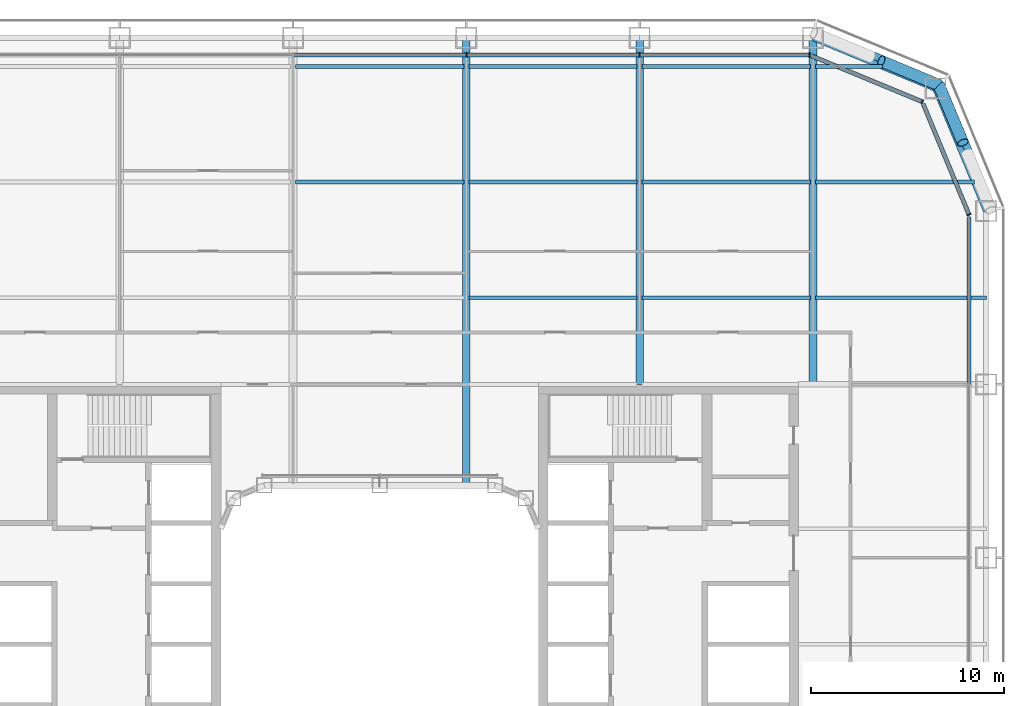
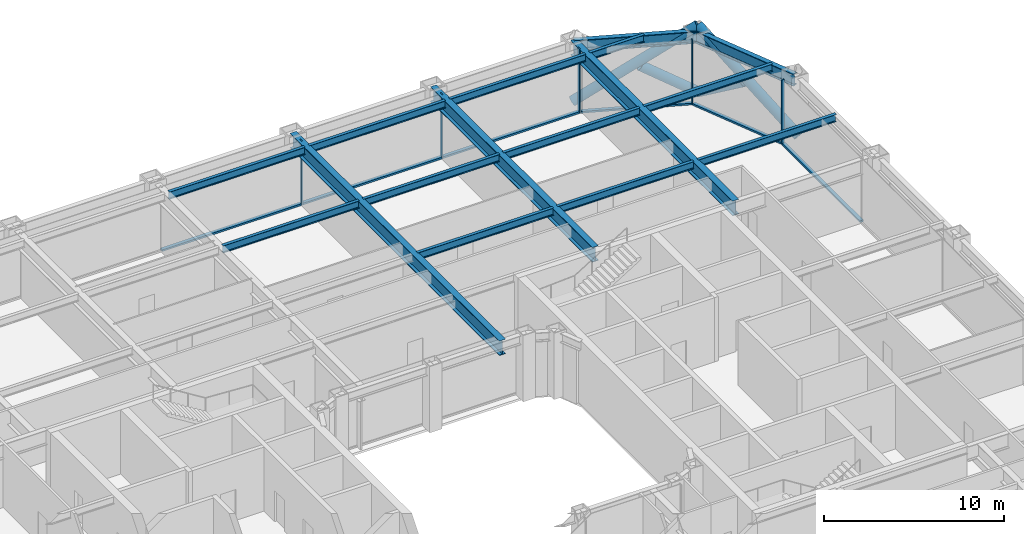
# One storey, part 10 of 27: 16 beams, 15 members, 4 elements without a shape of their own.
"""IFC4 building model written with IfcOpenShell, lengths in metres."""

from ifc_helpers import new_model, si_unit, direction, frame, origin, origin_2d, place, context, subcontext, project, spatial, rectangle, hollow_circle, i_section, extrude, material, layer, layer_set, material_profile, profile_set, type_object, element, aggregate, save


model = new_model("IFC4")

# Units and contexts
model_context = context("Model", 3, precision=1e-05, world=origin(), true_north=direction((0.0, 1.0)))
body_context = subcontext(model_context, "Body", "Model", "MODEL_VIEW")
ifc_project = project(units=[si_unit("LENGTHUNIT", "METRE"), si_unit("AREAUNIT", "SQUARE_METRE"), si_unit("VOLUMEUNIT", "CUBIC_METRE"), si_unit("PLANEANGLEUNIT", "RADIAN"), si_unit("MASSUNIT", "GRAM", prefix="KILO")], contexts=[model_context])

# Site, building, storey
site_placement = place(None, origin())
site = spatial("IfcSite", under=ifc_project, at=site_placement, CompositionType="ELEMENT")
building_placement = place(site_placement, origin())
building = spatial("IfcBuilding", under=site, at=building_placement, Name="Siwar Civic Tower", CompositionType="ELEMENT")
storey_placement = place(building_placement, frame((0.0, 0.0, 35.699951171875)))
storey = spatial("IfcBuildingStorey", under=building, at=storey_placement, Name="L07", CompositionType="ELEMENT", Elevation=35.699951171875)

# Curtain wall, member
ifc_material_1 = material(Name="Aluminium clad insulated panel", Category="aluminium")
ifc_layer_1 = layer(ifc_material_1, 0.219970703125)
ifc_layer_set_1 = layer_set([ifc_layer_1], Name="Aluminium clad insulated panel")
curtain_wall_type_1 = type_object("IfcCurtainWallType", Name="ENV-CW-AX", PredefinedType="NOTDEFINED", material=ifc_layer_set_1)
curtain_wall_1_placement = place(storey_placement, origin())
curtain_wall_1 = element("IfcCurtainWall", 1, at=curtain_wall_1_placement, inside=storey, type_object=curtain_wall_type_1, Name="Curtain wall A NE1", PredefinedType="NOTDEFINED")
ifc_material_2 = material(Name="Aluminium 6063-T6", Category="aluminium")
ifc_material_profile_1 = material_profile(ifc_material_2, rectangle(XDim=0.219970703125, YDim=0.070068359375, at=origin_2d()), Name="AL 220x70")
ifc_profile_set_1 = profile_set([ifc_material_profile_1], Name="Aluminium 6063-T6")
member_type_1 = type_object("IfcMemberType", Name="ENV-MULLION-A", PredefinedType="MULLION", material=ifc_profile_set_1)
member_1_placement = place(storey_placement, frame((30.60009765625, 22.321044921875, 0.0), z_axis=(0.0, 0.0, 1.0), x_axis=(-0.923879532511, -0.382683432365, 0.0)))
member_1 = element("IfcMember", 2, at=member_1_placement, type_object=member_type_1, Name="Mullion A NE1 1", PredefinedType="MULLION", context=body_context, shape_type="SweptSolid", body=[
    extrude(rectangle(XDim=0.219970703125, YDim=0.070068359375, at=origin_2d()), origin(), (0.0, 0.0, 1.0), 4.35009765625),
])

curtain_wall_2_placement = place(storey_placement, origin())
curtain_wall_2 = element("IfcCurtainWall", 3, at=curtain_wall_2_placement, inside=storey, type_object=curtain_wall_type_1, Name="Curtain wall A NE2", PredefinedType="NOTDEFINED")
member_2_placement = place(storey_placement, frame((28.175048828125, 28.175048828125, 0.0), z_axis=(0.0, 0.0, 1.0), x_axis=(-0.382683432365, -0.923879532511, 0.0)))
member_2 = element("IfcMember", 4, at=member_2_placement, type_object=member_type_1, Name="Mullion A NE2 1", PredefinedType="MULLION", context=body_context, shape_type="SweptSolid", body=[
    extrude(rectangle(XDim=0.219970703125, YDim=0.070068359375, at=origin_2d()), origin(), (0.0, 0.0, 1.0), 4.35009765625),
])

# Curtain wall, members
ifc_material_3 = material(Name="Aluminium and glass", Category="aluminium")
ifc_layer_2 = layer(ifc_material_3, 0.219970703125)
ifc_layer_set_2 = layer_set([ifc_layer_2], Name="Aluminium and glass")
curtain_wall_type_2 = type_object("IfcCurtainWallType", Name="ENV-CW-A", PredefinedType="NOTDEFINED", material=ifc_layer_set_2)
curtain_wall_3_placement = place(storey_placement, origin())
curtain_wall_3 = element("IfcCurtainWall", 5, at=curtain_wall_3_placement, inside=storey, type_object=curtain_wall_type_2, Name="Curtain wall A N", PredefinedType="NOTDEFINED")
member_3_placement = place(storey_placement, frame((22.321044921875, 30.60009765625, 0.0), z_axis=(0.0, 0.0, 1.0), x_axis=(0.0, -1.0, 0.0)))
member_3 = element("IfcMember", 6, at=member_3_placement, type_object=member_type_1, Name="Mullion A N 1", PredefinedType="MULLION", context=body_context, shape_type="SweptSolid", body=[
    extrude(rectangle(XDim=0.219970703125, YDim=0.070068359375, at=origin_2d()), origin(), (0.0, 0.0, 1.0), 4.35009765625),
])
member_4_placement = place(storey_placement, frame((13.5, 30.60009765625, 0.0), z_axis=(0.0, 0.0, 1.0), x_axis=(0.0, -1.0, 0.0)))
member_4 = element("IfcMember", 7, at=member_4_placement, type_object=member_type_1, Name="Mullion A N 2", PredefinedType="MULLION", context=body_context, shape_type="SweptSolid", body=[
    extrude(rectangle(XDim=0.219970703125, YDim=0.070068359375, at=origin_2d()), origin(), (0.0, 0.0, 1.0), 4.35009765625),
])
member_5_placement = place(storey_placement, frame((4.5, 30.60009765625, 0.0), z_axis=(0.0, 0.0, 1.0), x_axis=(0.0, -1.0, 0.0)))
member_5 = element("IfcMember", 8, at=member_5_placement, type_object=member_type_1, Name="Mullion A N 3", PredefinedType="MULLION", context=body_context, shape_type="SweptSolid", body=[
    extrude(rectangle(XDim=0.219970703125, YDim=0.070068359375, at=origin_2d()), origin(), (0.0, 0.0, 1.0), 4.35009765625),
])

# Curtain wall, member
curtain_wall_4_placement = place(storey_placement, origin())
curtain_wall_4 = element("IfcCurtainWall", 9, at=curtain_wall_4_placement, inside=storey, type_object=curtain_wall_type_2, Name="Curtain wall A E", PredefinedType="NOTDEFINED")
ifc_material_4 = material(Name="Aluminium 6063-T6", Category="aluminium")
ifc_material_profile_2 = material_profile(ifc_material_4, rectangle(XDim=0.219970703125, YDim=0.1201171875, at=origin_2d()), Name="AL 220x120")
ifc_profile_set_2 = profile_set([ifc_material_profile_2], Name="Aluminium 6063-T6")
member_type_2 = type_object("IfcMemberType", Name="ENV-TRANSOM-A", PredefinedType="USERDEFINED", material=ifc_profile_set_2)
member_6_placement = place(storey_placement, frame((30.60009765625, 13.534912109375, 0.06005859375), z_axis=(0.0, 1.0, 0.0), x_axis=(-1.0, 0.0, 0.0)))
member_6 = element("IfcMember", 10, at=member_6_placement, type_object=member_type_2, Name="Transom A E 5", ObjectType="TRANSOM", PredefinedType="USERDEFINED", context=body_context, shape_type="SweptSolid", body=[
    extrude(rectangle(XDim=0.219970703125, YDim=0.1201171875, at=origin_2d()), origin(), (0.0, 0.0, 1.0), 8.66357421875),
])
aggregate(curtain_wall_4, [member_6])

# Member
member_7_placement = place(storey_placement, frame((30.586669921875, 22.353271484375, 0.06005859375), z_axis=(-0.382698415042, 0.923873326341, 0.0), x_axis=(-0.923873326341, -0.382698415042, 0.0)))
member_7 = element("IfcMember", 11, at=member_7_placement, type_object=member_type_2, Name="Transom A NE1 1", ObjectType="TRANSOM", PredefinedType="USERDEFINED", context=body_context, shape_type="SweptSolid", body=[
    extrude(rectangle(XDim=0.219970703125, YDim=0.1201171875, at=origin_2d()), origin(), (0.0, 0.0, 1.0), 6.17919921875),
])

aggregate(curtain_wall_1, [member_1, member_7])

member_8_placement = place(storey_placement, frame((28.142822265625, 28.1884765625, 0.06005859375), z_axis=(-0.923873326341, 0.382698415042, 0.0), x_axis=(-0.382698415042, -0.923873326341, 0.0)))
member_8 = element("IfcMember", 12, at=member_8_placement, type_object=member_type_2, Name="Transom A NE2 1", ObjectType="TRANSOM", PredefinedType="USERDEFINED", context=body_context, shape_type="SweptSolid", body=[
    extrude(rectangle(XDim=0.219970703125, YDim=0.1201171875, at=origin_2d()), origin(), (0.0, 0.0, 1.0), 6.17919921875),
])

aggregate(curtain_wall_2, [member_2, member_8])

member_9_placement = place(storey_placement, frame((22.285888671875, 30.60009765625, 0.06005859375), z_axis=(-1.0, 0.0, 0.0), x_axis=(0.0, -1.0, 0.0)))
member_9 = element("IfcMember", 13, at=member_9_placement, type_object=member_type_2, Name="Transom A N 1", ObjectType="TRANSOM", PredefinedType="USERDEFINED", context=body_context, shape_type="SweptSolid", body=[
    extrude(rectangle(XDim=0.219970703125, YDim=0.1201171875, at=origin_2d()), origin(), (0.0, 0.0, 1.0), 8.7509765625),
])

member_10_placement = place(storey_placement, frame((13.465087890625, 30.60009765625, 0.06005859375), z_axis=(-1.0, 0.0, 0.0), x_axis=(0.0, -1.0, 0.0)))
member_10 = element("IfcMember", 14, at=member_10_placement, type_object=member_type_2, Name="Transom A N 2", ObjectType="TRANSOM", PredefinedType="USERDEFINED", context=body_context, shape_type="SweptSolid", body=[
    extrude(rectangle(XDim=0.219970703125, YDim=0.1201171875, at=origin_2d()), origin(), (0.0, 0.0, 1.0), 8.93017578125),
])

member_11_placement = place(storey_placement, frame((4.465087890625, 30.60009765625, 0.06005859375), z_axis=(-1.0, 0.0, 0.0), x_axis=(0.0, -1.0, 0.0)))
member_11 = element("IfcMember", 15, at=member_11_placement, type_object=member_type_2, Name="Transom A N 3", ObjectType="TRANSOM", PredefinedType="USERDEFINED", context=body_context, shape_type="SweptSolid", body=[
    extrude(rectangle(XDim=0.219970703125, YDim=0.1201171875, at=origin_2d()), origin(), (0.0, 0.0, 1.0), 8.93017578125),
])

aggregate(curtain_wall_3, [member_3, member_4, member_5, member_9, member_10, member_11])

# Members
ifc_material_5 = material(Name="Steel S355", Category="steel")
ifc_material_profile_3 = material_profile(ifc_material_5, hollow_circle(Radius=0.304931640625, WallThickness=0.030029296875, at=origin_2d()), Name="CHS610x30")
ifc_profile_set_3 = profile_set([ifc_material_profile_3], Name="Steel S355")
member_type_3 = type_object("IfcMemberType", Name="STR-BR-CHS610x30", PredefinedType="BRACE", material=ifc_profile_set_3)
member_12_placement = place(storey_placement, frame((22.548828125, 31.7451171875, 0.0), z_axis=(0.777554562952, -0.323905527954, 0.538975055633), x_axis=(0.384538969033, 0.923108759191, 0.0)))
element("IfcMember", 16, at=member_12_placement, inside=storey, type_object=member_type_3, Name="L07/brc/ANE1-6-0-1", PredefinedType="BRACE", context=body_context, shape_type="SweptSolid", body=[
    extrude(hollow_circle(Radius=0.304931640625, WallThickness=0.030029296875, at=origin_2d()), origin(), (0.0, 0.0, 1.0), 8.34912109375),
])
member_13_placement = place(storey_placement, frame((29.040771484375, 29.040771484375, 0.0), z_axis=(-0.777542179573, 0.323922979564, 0.53898243227), x_axis=(-0.384561842466, -0.923099230484, 0.0)))
element("IfcMember", 17, at=member_13_placement, inside=storey, type_object=member_type_3, Name="L07/brc/ANE1-6-0-2", PredefinedType="BRACE", context=body_context, shape_type="SweptSolid", body=[
    extrude(hollow_circle(Radius=0.304931640625, WallThickness=0.030029296875, at=origin_2d()), origin(), (0.0, 0.0, 1.0), 3.84375),
])
member_14_placement = place(storey_placement, frame((31.7451171875, 22.548828125, 0.0), z_axis=(-0.323905527954, 0.777554562952, 0.538975055633), x_axis=(-0.923108759191, -0.384538969033, 0.0)))
element("IfcMember", 18, at=member_14_placement, inside=storey, type_object=member_type_3, Name="L07/brc/ANE1-6-0-0", PredefinedType="BRACE", context=body_context, shape_type="SweptSolid", body=[
    extrude(hollow_circle(Radius=0.304931640625, WallThickness=0.030029296875, at=origin_2d()), origin(), (0.0, 0.0, 1.0), 8.34912109375),
])
member_15_placement = place(storey_placement, frame((29.040771484375, 29.040771484375, 0.0), z_axis=(0.323922979564, -0.777542179573, 0.53898243227), x_axis=(0.923099230484, 0.384561842466, 0.0)))
element("IfcMember", 19, at=member_15_placement, inside=storey, type_object=member_type_3, Name="L07/brc/ANE1-6-0-4", PredefinedType="BRACE", context=body_context, shape_type="SweptSolid", body=[
    extrude(hollow_circle(Radius=0.304931640625, WallThickness=0.030029296875, at=origin_2d()), origin(), (0.0, 0.0, 1.0), 3.84375),
])

# Beams
ifc_material_6 = material(Name="Steel S355", Category="steel")
ifc_material_profile_4 = material_profile(ifc_material_6, i_section(OverallWidth=0.199951171875, OverallDepth=0.5, WebThickness=0.01025390625, FlangeThickness=0.01611328125, FilletRadius=0.02099609375, at=origin_2d()), Name="IPE500")
ifc_profile_set_4 = profile_set([ifc_material_profile_4], Name="Steel S355")
beam_type_1 = type_object("IfcBeamType", Name="STR-FB-IPE500", PredefinedType="JOIST", material=ifc_profile_set_4)
for number, where, z_axis, x_axis, name in (
    (20, (4.6298828125, 18.0, 4.10009765625), (1.0, 0.0, 0.0), (0.0, 1.0, 0.0), "L07/bm/F050"),
    (21, (13.6298828125, 18.0, 4.10009765625), (1.0, 0.0, 0.0), (0.0, 1.0, 0.0), "L07/bm/F051"),
):
    element("IfcBeam", number, at=place(storey_placement, frame(where, z_axis=z_axis, x_axis=x_axis)), inside=storey, type_object=beam_type_1, Name=name, PredefinedType="JOIST", context=body_context, shape_type="SweptSolid", body=[
        extrude(i_section(OverallWidth=0.199951171875, OverallDepth=0.5, WebThickness=0.01025390625, FlangeThickness=0.01611328125, FilletRadius=0.02099609375, at=origin_2d()), origin(), (0.0, 0.0, 1.0), 8.740234375),
    ])
beam_1_placement = place(storey_placement, frame((22.6298828125, 18.0, 4.10009765625), z_axis=(1.0, 0.0, 0.0), x_axis=(0.0, 1.0, 0.0)))
element("IfcBeam", 22, at=beam_1_placement, inside=storey, type_object=beam_type_1, Name="L07/bm/F052", PredefinedType="JOIST", context=body_context, shape_type="SweptSolid", body=[
    extrude(i_section(OverallWidth=0.199951171875, OverallDepth=0.5, WebThickness=0.01025390625, FlangeThickness=0.01611328125, FilletRadius=0.02099609375, at=origin_2d()), origin(), (0.0, 0.0, 1.0), 8.8701171875),
])
for number, where, z_axis, x_axis, name in (
    (23, (-4.3701171875, 24.0, 4.10009765625), (1.0, 0.0, 0.0), (0.0, 1.0, 0.0), "L07/bm/F056"),
    (24, (4.6298828125, 24.0, 4.10009765625), (1.0, 0.0, 0.0), (0.0, 1.0, 0.0), "L07/bm/F057"),
    (25, (13.6298828125, 24.0, 4.10009765625), (1.0, 0.0, 0.0), (0.0, 1.0, 0.0), "L07/bm/F058"),
):
    element("IfcBeam", number, at=place(storey_placement, frame(where, z_axis=z_axis, x_axis=x_axis)), inside=storey, type_object=beam_type_1, Name=name, PredefinedType="JOIST", context=body_context, shape_type="SweptSolid", body=[
        extrude(i_section(OverallWidth=0.199951171875, OverallDepth=0.5, WebThickness=0.01025390625, FlangeThickness=0.01611328125, FilletRadius=0.02099609375, at=origin_2d()), origin(), (0.0, 0.0, 1.0), 8.740234375),
    ])
beam_2_placement = place(storey_placement, frame((22.6298828125, 24.0, 4.10009765625), z_axis=(1.0, 0.0, 0.0), x_axis=(0.0, 1.0, 0.0)))
element("IfcBeam", 26, at=beam_2_placement, inside=storey, type_object=beam_type_1, Name="L07/bm/F059", PredefinedType="JOIST", context=body_context, shape_type="SweptSolid", body=[
    extrude(i_section(OverallWidth=0.199951171875, OverallDepth=0.5, WebThickness=0.01025390625, FlangeThickness=0.01611328125, FilletRadius=0.02099609375, at=origin_2d()), origin(), (0.0, 0.0, 1.0), 8.248779296875),
])
for number, where, z_axis, x_axis, name in (
    (27, (-4.3701171875, 30.0, 4.10009765625), (1.0, 0.0, 0.0), (0.0, 1.0, 0.0), "L07/bm/F063"),
    (28, (4.6298828125, 30.0, 4.10009765625), (1.0, 0.0, 0.0), (0.0, 1.0, 0.0), "L07/bm/F064"),
    (29, (13.6298828125, 30.0, 4.10009765625), (1.0, 0.0, 0.0), (0.0, 1.0, 0.0), "L07/bm/F065"),
):
    element("IfcBeam", number, at=place(storey_placement, frame(where, z_axis=z_axis, x_axis=x_axis)), inside=storey, type_object=beam_type_1, Name=name, PredefinedType="JOIST", context=body_context, shape_type="SweptSolid", body=[
        extrude(i_section(OverallWidth=0.199951171875, OverallDepth=0.5, WebThickness=0.01025390625, FlangeThickness=0.01611328125, FilletRadius=0.02099609375, at=origin_2d()), origin(), (0.0, 0.0, 1.0), 8.740234375),
    ])
beam_3_placement = place(storey_placement, frame((22.6298828125, 30.0, 4.10009765625), z_axis=(1.0, 0.0, 0.0), x_axis=(0.0, 1.0, 0.0)))
element("IfcBeam", 30, at=beam_3_placement, inside=storey, type_object=beam_type_1, Name="L07/bm/F066", PredefinedType="JOIST", context=body_context, shape_type="SweptSolid", body=[
    extrude(i_section(OverallWidth=0.199951171875, OverallDepth=0.5, WebThickness=0.01025390625, FlangeThickness=0.01611328125, FilletRadius=0.02099609375, at=origin_2d()), origin(), (0.0, 0.0, 1.0), 3.491455078125),
])
ifc_material_7 = material(Name="Steel S355", Category="steel")
ifc_material_profile_5 = material_profile(ifc_material_7, i_section(OverallWidth=0.39990234375, OverallDepth=1.0, WebThickness=0.01611328125, FlangeThickness=0.0400390625, at=origin_2d()), Name="PG1000x400x16x40")
ifc_profile_set_5 = profile_set([ifc_material_profile_5], Name="Steel S355")
beam_type_2 = type_object("IfcBeamType", Name="STR-PG-PG1000x400x16x40", PredefinedType="BEAM", material=ifc_profile_set_5)
beam_4_placement = place(storey_placement, frame((4.5, 8.25, 3.85009765625), z_axis=(0.0, 1.0, 0.0), x_axis=(-1.0, 0.0, 0.0)))
element("IfcBeam", 31, at=beam_4_placement, inside=storey, type_object=beam_type_2, Name="L07/bm/G08", PredefinedType="BEAM", context=body_context, shape_type="SweptSolid", body=[
    extrude(i_section(OverallWidth=0.39990234375, OverallDepth=1.0, WebThickness=0.01611328125, FlangeThickness=0.0400390625, at=origin_2d()), origin(), (0.0, 0.0, 1.0), 23.25),
])
for number, where, z_axis, x_axis, name in (
    (32, (13.5, 13.5, 3.85009765625), (0.0, 1.0, 0.0), (-1.0, 0.0, 0.0), "L07/bm/G10"),
    (33, (22.5, 13.5, 3.85009765625), (0.0, 1.0, 0.0), (-1.0, 0.0, 0.0), "L07/bm/G12"),
):
    element("IfcBeam", number, at=place(storey_placement, frame(where, z_axis=z_axis, x_axis=x_axis)), inside=storey, type_object=beam_type_2, Name=name, PredefinedType="BEAM", context=body_context, shape_type="SweptSolid", body=[
        extrude(i_section(OverallWidth=0.39990234375, OverallDepth=1.0, WebThickness=0.01611328125, FlangeThickness=0.0400390625, at=origin_2d()), origin(), (0.0, 0.0, 1.0), 18.0),
    ])
ifc_material_8 = material(Name="Steel S355", Category="steel")
ifc_material_profile_6 = material_profile(ifc_material_8, i_section(OverallWidth=0.302978515625, OverallDepth=0.81396484375, WebThickness=0.02099609375, FlangeThickness=0.0400390625, FilletRadius=0.030029296875, at=origin_2d()), Name="HEM800")
ifc_profile_set_6 = profile_set([ifc_material_profile_6], Name="Steel S355")
beam_type_3 = type_object("IfcBeamType", Name="STR-SB-HEM800", PredefinedType="BEAM", material=ifc_profile_set_6)
for number, where, z_axis, x_axis, name in (
    (34, (31.5, 22.5, 3.943115234375), (-0.382674207535, 0.923883353507, 0.0), (-0.923883353507, -0.382674207535, 0.0), "L07/bm/SNE1-0"),
    (35, (28.864013671875, 28.864013671875, 3.943115234375), (-0.923883353507, 0.382674207535, 0.0), (-0.382674207535, -0.923883353507, 0.0), "L07/bm/SNE2-0"),
):
    element("IfcBeam", number, at=place(storey_placement, frame(where, z_axis=z_axis, x_axis=x_axis)), inside=storey, type_object=beam_type_3, Name=name, PredefinedType="BEAM", context=body_context, shape_type="SweptSolid", body=[
        extrude(i_section(OverallWidth=0.302978515625, OverallDepth=0.81396484375, WebThickness=0.02099609375, FlangeThickness=0.0400390625, FilletRadius=0.030029296875, at=origin_2d()), origin(), (0.0, 0.0, 1.0), 6.888427734375),
    ])

save(model, "model.ifc")
